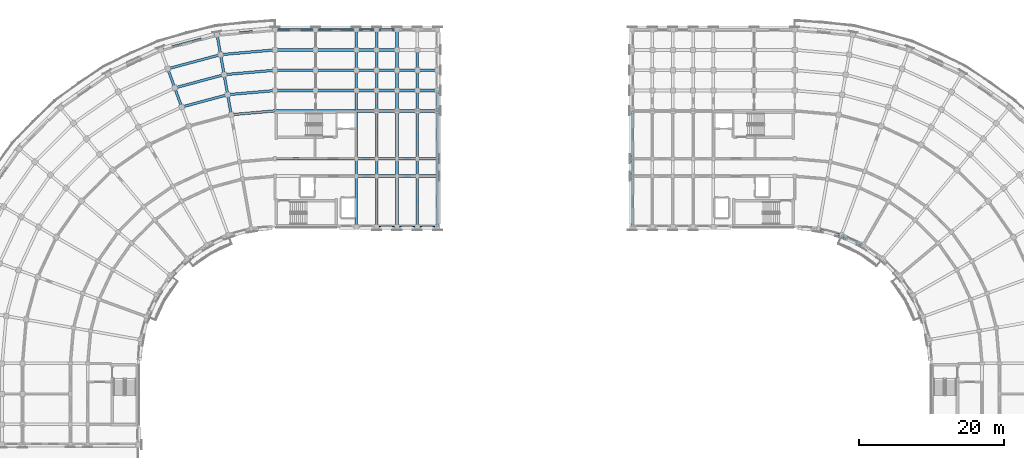
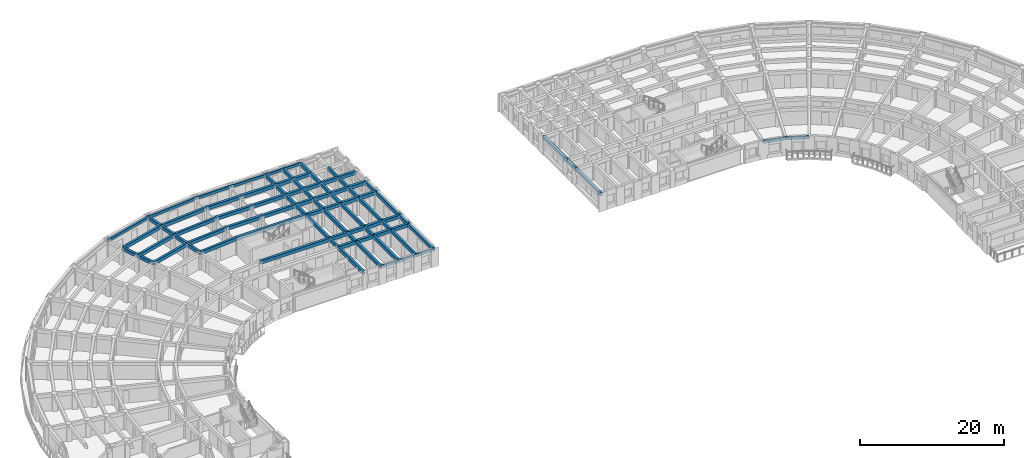
# One storey, part 9 of 54: 88 beams.
"""IFC4 building model written with IfcOpenShell, lengths in metres."""

from ifc_helpers import new_model, si_unit, direction, frame, origin, origin_2d, place, context, subcontext, project, spatial, rectangle, extrude, material, material_profile, profile_set, type_object, element, save


model = new_model("IFC4")

# Units and contexts
model_context = context("Model", 3, precision=1e-05, world=origin(), true_north=direction((0.0, 1.0)))
body_context = subcontext(model_context, "Body", "Model", "MODEL_VIEW")
ifc_project = project(units=[si_unit("LENGTHUNIT", "METRE"), si_unit("AREAUNIT", "SQUARE_METRE"), si_unit("VOLUMEUNIT", "CUBIC_METRE"), si_unit("PLANEANGLEUNIT", "RADIAN"), si_unit("MASSUNIT", "GRAM", prefix="KILO")], contexts=[model_context])

# Site, building, storey
site_placement = place(None, origin())
site = spatial("IfcSite", under=ifc_project, at=site_placement, CompositionType="ELEMENT")
building_placement = place(site_placement, origin())
building = spatial("IfcBuilding", under=site, at=building_placement, Name="Kiranvali Square Residences", CompositionType="ELEMENT")
storey_placement = place(building_placement, frame((0.0, 0.0, 27.60009765625)))
storey = spatial("IfcBuildingStorey", under=building, at=storey_placement, Name="L08", CompositionType="ELEMENT", Elevation=27.60009765625)

# Beams
ifc_material_1 = material(Name="Concrete M40 (40 MPa)", Category="concrete")
ifc_material_profile_1 = material_profile(ifc_material_1, rectangle(XDim=0.35009765625, YDim=0.550048828125, at=origin_2d()), Name="RC 350x550")
ifc_profile_set_1 = profile_set([ifc_material_profile_1], Name="Concrete M40 (40 MPa)")
beam_type_1 = type_object("IfcBeamType", Name="BM-M40-350x550", PredefinedType="BEAM", material=ifc_profile_set_1)
beam_1_placement = place(storey_placement, frame((48.199951171875, 122.60009765625, 2.65478515625), z_axis=(-0.996193018494, -0.087174938512, 0.0), x_axis=(0.087174938512, -0.996193018494, 0.0)))
element("IfcBeam", 1, at=beam_1_placement, inside=storey, type_object=beam_type_1, Name="L08 beam BM-A-L08-C00-R3", PredefinedType="BEAM", context=body_context, shape_type="SweptSolid", body=[
    extrude(rectangle(XDim=0.35009765625, YDim=0.550048828125, at=origin_2d()), origin(), (0.0, 0.0, 1.0), 6.066162109375),
])
beam_2_placement = place(storey_placement, frame((48.199951171875, 125.39990234375, 2.65478515625), z_axis=(-0.996196991902, -0.0871295204, 0.0), x_axis=(0.0871295204, -0.996196991902, 0.0)))
element("IfcBeam", 2, at=beam_2_placement, inside=storey, type_object=beam_type_1, Name="L08 beam BM-A-L08-C00-R4", PredefinedType="BEAM", context=body_context, shape_type="SweptSolid", body=[
    extrude(rectangle(XDim=0.35009765625, YDim=0.550048828125, at=origin_2d()), origin(), (0.0, 0.0, 1.0), 6.553955078125),
])
beam_3_placement = place(storey_placement, frame((48.199951171875, 128.199951171875, 2.65478515625), z_axis=(-0.996194658198, -0.087156198737, 0.0), x_axis=(0.087156198737, -0.996194658198, 0.0)))
element("IfcBeam", 3, at=beam_3_placement, inside=storey, type_object=beam_type_1, Name="L08 beam BM-A-L08-C00-R5", PredefinedType="BEAM", context=body_context, shape_type="SweptSolid", body=[
    extrude(rectangle(XDim=0.35009765625, YDim=0.550048828125, at=origin_2d()), origin(), (0.0, 0.0, 1.0), 7.042236328125),
])
beam_4_placement = place(storey_placement, frame((48.199951171875, 131.0, 2.65478515625), z_axis=(-0.996195195417, -0.087150058103, 0.0), x_axis=(0.087150058103, -0.996195195417, 0.0)))
element("IfcBeam", 4, at=beam_4_placement, inside=storey, type_object=beam_type_1, Name="L08 beam BM-A-L08-C00-R6", PredefinedType="BEAM", context=body_context, shape_type="SweptSolid", body=[
    extrude(rectangle(XDim=0.35009765625, YDim=0.550048828125, at=origin_2d()), origin(), (0.0, 0.0, 1.0), 7.530029296875),
])
beam_5_placement = place(storey_placement, frame((41.6708984375, 124.828857421875, 2.65478515625), z_axis=(-0.965918287583, -0.258847178297, 0.0), x_axis=(0.258847178297, -0.965918287583, 0.0)))
element("IfcBeam", 5, at=beam_5_placement, inside=storey, type_object=beam_type_1, Name="L08 beam BM-A-L08-C01-R4", PredefinedType="BEAM", context=body_context, shape_type="SweptSolid", body=[
    extrude(rectangle(XDim=0.35009765625, YDim=0.550048828125, at=origin_2d()), origin(), (0.0, 0.0, 1.0), 6.55419921875),
])
beam_6_placement = place(storey_placement, frame((41.1845703125, 127.586181640625, 2.65478515625), z_axis=(-0.965931029817, -0.258799624492, 0.0), x_axis=(0.258799624492, -0.965931029817, 0.0)))
element("IfcBeam", 6, at=beam_6_placement, inside=storey, type_object=beam_type_1, Name="L08 beam BM-A-L08-C01-R5", PredefinedType="BEAM", context=body_context, shape_type="SweptSolid", body=[
    extrude(rectangle(XDim=0.35009765625, YDim=0.550048828125, at=origin_2d()), origin(), (0.0, 0.0, 1.0), 7.042236328125),
])
beam_7_placement = place(storey_placement, frame((40.698486328125, 130.34375, 2.65478515625), z_axis=(-0.965925909693, -0.258818733833, 0.0), x_axis=(0.258818733833, -0.965925909693, 0.0)))
element("IfcBeam", 7, at=beam_7_placement, inside=storey, type_object=beam_type_1, Name="L08 beam BM-A-L08-C01-R6", PredefinedType="BEAM", context=body_context, shape_type="SweptSolid", body=[
    extrude(rectangle(XDim=0.35009765625, YDim=0.550048828125, at=origin_2d()), origin(), (0.0, 0.0, 1.0), 7.5302734375),
])
beam_8_placement = place(storey_placement, frame((42.156982421875, 122.0712890625, 2.65478515625), z_axis=(-0.173596320392, 0.984816895441, 0.0), x_axis=(-0.984816895441, -0.173596320392, 0.0)))
element("IfcBeam", 8, at=beam_8_placement, inside=storey, type_object=beam_type_1, Name="L08 beam BM-A-L08-RAD01-34", PredefinedType="BEAM", context=body_context, shape_type="SweptSolid", body=[
    extrude(rectangle(XDim=0.35009765625, YDim=0.550048828125, at=origin_2d()), origin(), (0.0, 0.0, 1.0), 2.800048828125),
])
beam_9_placement = place(storey_placement, frame((41.6708984375, 124.828857421875, 2.65478515625), z_axis=(-0.173695795656, 0.984799355489, 0.0), x_axis=(-0.984799355489, -0.173695795656, 0.0)))
element("IfcBeam", 9, at=beam_9_placement, inside=storey, type_object=beam_type_1, Name="L08 beam BM-A-L08-RAD01-45", PredefinedType="BEAM", context=body_context, shape_type="SweptSolid", body=[
    extrude(rectangle(XDim=0.35009765625, YDim=0.550048828125, at=origin_2d()), origin(), (0.0, 0.0, 1.0), 2.7998046875),
])
beam_10_placement = place(storey_placement, frame((41.1845703125, 127.586181640625, 2.65478515625), z_axis=(-0.173596320392, 0.984816895441, 0.0), x_axis=(-0.984816895441, -0.173596320392, 0.0)))
element("IfcBeam", 10, at=beam_10_placement, inside=storey, type_object=beam_type_1, Name="L08 beam BM-A-L08-RAD01-56", PredefinedType="BEAM", context=body_context, shape_type="SweptSolid", body=[
    extrude(rectangle(XDim=0.35009765625, YDim=0.550048828125, at=origin_2d()), origin(), (0.0, 0.0, 1.0), 2.800048828125),
])
beam_11_placement = place(storey_placement, frame((40.698486328125, 130.34375, 2.65478515625), z_axis=(-0.173695795656, 0.984799355489, 0.0), x_axis=(-0.984799355489, -0.173695795656, 0.0)))
element("IfcBeam", 11, at=beam_11_placement, inside=storey, type_object=beam_type_1, Name="L08 beam BM-A-L08-RAD01-67", PredefinedType="BEAM", context=body_context, shape_type="SweptSolid", body=[
    extrude(rectangle(XDim=0.35009765625, YDim=0.550048828125, at=origin_2d()), origin(), (0.0, 0.0, 1.0), 2.7998046875),
])
beam_12_placement = place(storey_placement, frame((35.340087890625, 123.13232421875, 2.65478515625), z_axis=(-0.342030060398, 0.939689011208, 0.0), x_axis=(-0.939689011208, -0.342030060398, 0.0)))
element("IfcBeam", 12, at=beam_12_placement, inside=storey, type_object=beam_type_1, Name="L08 beam BM-A-L08-RAD02-45", PredefinedType="BEAM", context=body_context, shape_type="SweptSolid", body=[
    extrude(rectangle(XDim=0.35009765625, YDim=0.550048828125, at=origin_2d()), origin(), (0.0, 0.0, 1.0), 2.80029296875),
])
beam_13_placement = place(storey_placement, frame((34.38232421875, 125.763671875, 2.65478515625), z_axis=(-0.341981089711, 0.93970683422, 0.0), x_axis=(-0.93970683422, -0.341981089711, 0.0)))
element("IfcBeam", 13, at=beam_13_placement, inside=storey, type_object=beam_type_1, Name="L08 beam BM-A-L08-RAD02-56", PredefinedType="BEAM", context=body_context, shape_type="SweptSolid", body=[
    extrude(rectangle(XDim=0.35009765625, YDim=0.550048828125, at=origin_2d()), origin(), (0.0, 0.0, 1.0), 2.7998046875),
])
beam_14_placement = place(storey_placement, frame((59.39990234375, 106.60009765625, 2.65478515625), z_axis=(0.0, 1.0, 0.0), x_axis=(-1.0, 0.0, 0.0)))
element("IfcBeam", 14, at=beam_14_placement, inside=storey, type_object=beam_type_1, Name="L08 beam BM-A-L08-A1T1-01", PredefinedType="BEAM", context=body_context, shape_type="SweptSolid", body=[
    extrude(rectangle(XDim=0.35009765625, YDim=0.550048828125, at=origin_2d()), origin(), (0.0, 0.0, 1.0), 7.0),
])
beam_15_placement = place(storey_placement, frame((59.39990234375, 113.60009765625, 2.65478515625), z_axis=(0.0, 1.0, 0.0), x_axis=(-1.0, 0.0, 0.0)))
element("IfcBeam", 15, at=beam_15_placement, inside=storey, type_object=beam_type_1, Name="L08 beam BM-A-L08-A1T1-12", PredefinedType="BEAM", context=body_context, shape_type="SweptSolid", body=[
    extrude(rectangle(XDim=0.35009765625, YDim=0.550048828125, at=origin_2d()), origin(), (0.0, 0.0, 1.0), 2.39990234375),
])
beam_16_placement = place(storey_placement, frame((59.39990234375, 116.0, 2.65478515625), z_axis=(0.0, 1.0, 0.0), x_axis=(-1.0, 0.0, 0.0)))
element("IfcBeam", 16, at=beam_16_placement, inside=storey, type_object=beam_type_1, Name="L08 beam BM-A-L08-A1T1-23", PredefinedType="BEAM", context=body_context, shape_type="SweptSolid", body=[
    extrude(rectangle(XDim=0.35009765625, YDim=0.550048828125, at=origin_2d()), origin(), (0.0, 0.0, 1.0), 6.60009765625),
])
beam_17_placement = place(storey_placement, frame((59.39990234375, 122.60009765625, 2.65478515625), z_axis=(0.0, 1.0, 0.0), x_axis=(-1.0, 0.0, 0.0)))
element("IfcBeam", 17, at=beam_17_placement, inside=storey, type_object=beam_type_1, Name="L08 beam BM-A-L08-A1T1-34", PredefinedType="BEAM", context=body_context, shape_type="SweptSolid", body=[
    extrude(rectangle(XDim=0.35009765625, YDim=0.550048828125, at=origin_2d()), origin(), (0.0, 0.0, 1.0), 2.7998046875),
])
for number, where, z_axis, x_axis, name in (
    (18, (59.39990234375, 125.39990234375, 2.65478515625), (0.0, 1.0, 0.0), (-1.0, 0.0, 0.0), "L08 beam BM-A-L08-A1T1-45"),
    (19, (59.39990234375, 128.199951171875, 2.65478515625), (0.0, 1.0, 0.0), (-1.0, 0.0, 0.0), "L08 beam BM-A-L08-A1T1-56"),
    (20, (59.39990234375, 131.0, 2.65478515625), (0.0, 1.0, 0.0), (-1.0, 0.0, 0.0), "L08 beam BM-A-L08-A1T1-67"),
):
    element("IfcBeam", number, at=place(storey_placement, frame(where, z_axis=z_axis, x_axis=x_axis)), inside=storey, type_object=beam_type_1, Name=name, PredefinedType="BEAM", context=body_context, shape_type="SweptSolid", body=[
        extrude(rectangle(XDim=0.35009765625, YDim=0.550048828125, at=origin_2d()), origin(), (0.0, 0.0, 1.0), 2.800048828125),
    ])
beam_18_placement = place(storey_placement, frame((62.199951171875, 106.60009765625, 2.65478515625), z_axis=(0.0, 1.0, 0.0), x_axis=(-1.0, 0.0, 0.0)))
element("IfcBeam", 21, at=beam_18_placement, inside=storey, type_object=beam_type_1, Name="L08 beam BM-A-L08-A1T2-01", PredefinedType="BEAM", context=body_context, shape_type="SweptSolid", body=[
    extrude(rectangle(XDim=0.35009765625, YDim=0.550048828125, at=origin_2d()), origin(), (0.0, 0.0, 1.0), 7.0),
])
beam_19_placement = place(storey_placement, frame((62.199951171875, 113.60009765625, 2.65478515625), z_axis=(0.0, 1.0, 0.0), x_axis=(-1.0, 0.0, 0.0)))
element("IfcBeam", 22, at=beam_19_placement, inside=storey, type_object=beam_type_1, Name="L08 beam BM-A-L08-A1T2-12", PredefinedType="BEAM", context=body_context, shape_type="SweptSolid", body=[
    extrude(rectangle(XDim=0.35009765625, YDim=0.550048828125, at=origin_2d()), origin(), (0.0, 0.0, 1.0), 2.39990234375),
])
beam_20_placement = place(storey_placement, frame((62.199951171875, 116.0, 2.65478515625), z_axis=(0.0, 1.0, 0.0), x_axis=(-1.0, 0.0, 0.0)))
element("IfcBeam", 23, at=beam_20_placement, inside=storey, type_object=beam_type_1, Name="L08 beam BM-A-L08-A1T2-23", PredefinedType="BEAM", context=body_context, shape_type="SweptSolid", body=[
    extrude(rectangle(XDim=0.35009765625, YDim=0.550048828125, at=origin_2d()), origin(), (0.0, 0.0, 1.0), 6.60009765625),
])
beam_21_placement = place(storey_placement, frame((62.199951171875, 122.60009765625, 2.65478515625), z_axis=(0.0, 1.0, 0.0), x_axis=(-1.0, 0.0, 0.0)))
element("IfcBeam", 24, at=beam_21_placement, inside=storey, type_object=beam_type_1, Name="L08 beam BM-A-L08-A1T2-34", PredefinedType="BEAM", context=body_context, shape_type="SweptSolid", body=[
    extrude(rectangle(XDim=0.35009765625, YDim=0.550048828125, at=origin_2d()), origin(), (0.0, 0.0, 1.0), 2.7998046875),
])
for number, where, z_axis, x_axis, name in (
    (25, (62.199951171875, 125.39990234375, 2.65478515625), (0.0, 1.0, 0.0), (-1.0, 0.0, 0.0), "L08 beam BM-A-L08-A1T2-45"),
    (26, (62.199951171875, 128.199951171875, 2.65478515625), (0.0, 1.0, 0.0), (-1.0, 0.0, 0.0), "L08 beam BM-A-L08-A1T2-56"),
    (27, (62.199951171875, 131.0, 2.65478515625), (0.0, 1.0, 0.0), (-1.0, 0.0, 0.0), "L08 beam BM-A-L08-A1T2-67"),
):
    element("IfcBeam", number, at=place(storey_placement, frame(where, z_axis=z_axis, x_axis=x_axis)), inside=storey, type_object=beam_type_1, Name=name, PredefinedType="BEAM", context=body_context, shape_type="SweptSolid", body=[
        extrude(rectangle(XDim=0.35009765625, YDim=0.550048828125, at=origin_2d()), origin(), (0.0, 0.0, 1.0), 2.800048828125),
    ])
beam_22_placement = place(storey_placement, frame((65.0, 106.60009765625, 2.65478515625), z_axis=(0.0, 1.0, 0.0), x_axis=(-1.0, 0.0, 0.0)))
element("IfcBeam", 28, at=beam_22_placement, inside=storey, type_object=beam_type_1, Name="L08 beam BM-A-L08-A1T3-01", PredefinedType="BEAM", context=body_context, shape_type="SweptSolid", body=[
    extrude(rectangle(XDim=0.35009765625, YDim=0.550048828125, at=origin_2d()), origin(), (0.0, 0.0, 1.0), 7.0),
])
beam_23_placement = place(storey_placement, frame((65.0, 113.60009765625, 2.65478515625), z_axis=(0.0, 1.0, 0.0), x_axis=(-1.0, 0.0, 0.0)))
element("IfcBeam", 29, at=beam_23_placement, inside=storey, type_object=beam_type_1, Name="L08 beam BM-A-L08-A1T3-12", PredefinedType="BEAM", context=body_context, shape_type="SweptSolid", body=[
    extrude(rectangle(XDim=0.35009765625, YDim=0.550048828125, at=origin_2d()), origin(), (0.0, 0.0, 1.0), 2.39990234375),
])
beam_24_placement = place(storey_placement, frame((65.0, 116.0, 2.65478515625), z_axis=(0.0, 1.0, 0.0), x_axis=(-1.0, 0.0, 0.0)))
element("IfcBeam", 30, at=beam_24_placement, inside=storey, type_object=beam_type_1, Name="L08 beam BM-A-L08-A1T3-23", PredefinedType="BEAM", context=body_context, shape_type="SweptSolid", body=[
    extrude(rectangle(XDim=0.35009765625, YDim=0.550048828125, at=origin_2d()), origin(), (0.0, 0.0, 1.0), 6.60009765625),
])
beam_25_placement = place(storey_placement, frame((65.0, 122.60009765625, 2.65478515625), z_axis=(0.0, 1.0, 0.0), x_axis=(-1.0, 0.0, 0.0)))
element("IfcBeam", 31, at=beam_25_placement, inside=storey, type_object=beam_type_1, Name="L08 beam BM-A-L08-A1T3-34", PredefinedType="BEAM", context=body_context, shape_type="SweptSolid", body=[
    extrude(rectangle(XDim=0.35009765625, YDim=0.550048828125, at=origin_2d()), origin(), (0.0, 0.0, 1.0), 2.7998046875),
])
for number, where, z_axis, x_axis, name in (
    (32, (65.0, 125.39990234375, 2.65478515625), (0.0, 1.0, 0.0), (-1.0, 0.0, 0.0), "L08 beam BM-A-L08-A1T3-45"),
    (33, (65.0, 128.199951171875, 2.65478515625), (0.0, 1.0, 0.0), (-1.0, 0.0, 0.0), "L08 beam BM-A-L08-A1T3-56"),
    (34, (65.0, 131.0, 2.65478515625), (0.0, 1.0, 0.0), (-1.0, 0.0, 0.0), "L08 beam BM-A-L08-A1T3-67"),
):
    element("IfcBeam", number, at=place(storey_placement, frame(where, z_axis=z_axis, x_axis=x_axis)), inside=storey, type_object=beam_type_1, Name=name, PredefinedType="BEAM", context=body_context, shape_type="SweptSolid", body=[
        extrude(rectangle(XDim=0.35009765625, YDim=0.550048828125, at=origin_2d()), origin(), (0.0, 0.0, 1.0), 2.800048828125),
    ])
beam_26_placement = place(storey_placement, frame((67.800048828125, 106.60009765625, 2.65478515625), z_axis=(0.0, 1.0, 0.0), x_axis=(-1.0, 0.0, 0.0)))
element("IfcBeam", 35, at=beam_26_placement, inside=storey, type_object=beam_type_1, Name="L08 beam BM-A-L08-A1T4-01", PredefinedType="BEAM", context=body_context, shape_type="SweptSolid", body=[
    extrude(rectangle(XDim=0.35009765625, YDim=0.550048828125, at=origin_2d()), origin(), (0.0, 0.0, 1.0), 7.0),
])
beam_27_placement = place(storey_placement, frame((67.800048828125, 113.60009765625, 2.65478515625), z_axis=(0.0, 1.0, 0.0), x_axis=(-1.0, 0.0, 0.0)))
element("IfcBeam", 36, at=beam_27_placement, inside=storey, type_object=beam_type_1, Name="L08 beam BM-A-L08-A1T4-12", PredefinedType="BEAM", context=body_context, shape_type="SweptSolid", body=[
    extrude(rectangle(XDim=0.35009765625, YDim=0.550048828125, at=origin_2d()), origin(), (0.0, 0.0, 1.0), 2.39990234375),
])
beam_28_placement = place(storey_placement, frame((67.800048828125, 116.0, 2.65478515625), z_axis=(0.0, 1.0, 0.0), x_axis=(-1.0, 0.0, 0.0)))
element("IfcBeam", 37, at=beam_28_placement, inside=storey, type_object=beam_type_1, Name="L08 beam BM-A-L08-A1T4-23", PredefinedType="BEAM", context=body_context, shape_type="SweptSolid", body=[
    extrude(rectangle(XDim=0.35009765625, YDim=0.550048828125, at=origin_2d()), origin(), (0.0, 0.0, 1.0), 6.60009765625),
])
beam_29_placement = place(storey_placement, frame((67.800048828125, 122.60009765625, 2.65478515625), z_axis=(0.0, 1.0, 0.0), x_axis=(-1.0, 0.0, 0.0)))
element("IfcBeam", 38, at=beam_29_placement, inside=storey, type_object=beam_type_1, Name="L08 beam BM-A-L08-A1T4-34", PredefinedType="BEAM", context=body_context, shape_type="SweptSolid", body=[
    extrude(rectangle(XDim=0.35009765625, YDim=0.550048828125, at=origin_2d()), origin(), (0.0, 0.0, 1.0), 2.7998046875),
])
for number, where, z_axis, x_axis, name in (
    (39, (67.800048828125, 125.39990234375, 2.65478515625), (0.0, 1.0, 0.0), (-1.0, 0.0, 0.0), "L08 beam BM-A-L08-A1T4-45"),
    (40, (67.800048828125, 128.199951171875, 2.65478515625), (0.0, 1.0, 0.0), (-1.0, 0.0, 0.0), "L08 beam BM-A-L08-A1T4-56"),
):
    element("IfcBeam", number, at=place(storey_placement, frame(where, z_axis=z_axis, x_axis=x_axis)), inside=storey, type_object=beam_type_1, Name=name, PredefinedType="BEAM", context=body_context, shape_type="SweptSolid", body=[
        extrude(rectangle(XDim=0.35009765625, YDim=0.550048828125, at=origin_2d()), origin(), (0.0, 0.0, 1.0), 2.800048828125),
    ])
beam_30_placement = place(storey_placement, frame((70.60009765625, 106.60009765625, 2.65478515625), z_axis=(0.0, 1.0, 0.0), x_axis=(-1.0, 0.0, 0.0)))
element("IfcBeam", 41, at=beam_30_placement, inside=storey, type_object=beam_type_1, Name="L08 beam BM-A-L08-A1T5-01", PredefinedType="BEAM", context=body_context, shape_type="SweptSolid", body=[
    extrude(rectangle(XDim=0.35009765625, YDim=0.550048828125, at=origin_2d()), origin(), (0.0, 0.0, 1.0), 7.0),
])
beam_31_placement = place(storey_placement, frame((70.60009765625, 113.60009765625, 2.65478515625), z_axis=(0.0, 1.0, 0.0), x_axis=(-1.0, 0.0, 0.0)))
element("IfcBeam", 42, at=beam_31_placement, inside=storey, type_object=beam_type_1, Name="L08 beam BM-A-L08-A1T5-12", PredefinedType="BEAM", context=body_context, shape_type="SweptSolid", body=[
    extrude(rectangle(XDim=0.35009765625, YDim=0.550048828125, at=origin_2d()), origin(), (0.0, 0.0, 1.0), 2.39990234375),
])
beam_32_placement = place(storey_placement, frame((70.60009765625, 116.0, 2.65478515625), z_axis=(0.0, 1.0, 0.0), x_axis=(-1.0, 0.0, 0.0)))
element("IfcBeam", 43, at=beam_32_placement, inside=storey, type_object=beam_type_1, Name="L08 beam BM-A-L08-A1T5-23", PredefinedType="BEAM", context=body_context, shape_type="SweptSolid", body=[
    extrude(rectangle(XDim=0.35009765625, YDim=0.550048828125, at=origin_2d()), origin(), (0.0, 0.0, 1.0), 6.60009765625),
])
beam_33_placement = place(storey_placement, frame((70.60009765625, 122.60009765625, 2.65478515625), z_axis=(0.0, 1.0, 0.0), x_axis=(-1.0, 0.0, 0.0)))
element("IfcBeam", 44, at=beam_33_placement, inside=storey, type_object=beam_type_1, Name="L08 beam BM-A-L08-A1T5-34", PredefinedType="BEAM", context=body_context, shape_type="SweptSolid", body=[
    extrude(rectangle(XDim=0.35009765625, YDim=0.550048828125, at=origin_2d()), origin(), (0.0, 0.0, 1.0), 2.7998046875),
])
beam_34_placement = place(storey_placement, frame((97.39990234375, 106.60009765625, 2.65478515625), z_axis=(0.0, 1.0, 0.0), x_axis=(-1.0, 0.0, 0.0)))
element("IfcBeam", 45, at=beam_34_placement, inside=storey, type_object=beam_type_1, Name="L08 beam BM-B-L08-A1T5-01", PredefinedType="BEAM", context=body_context, shape_type="SweptSolid", body=[
    extrude(rectangle(XDim=0.35009765625, YDim=0.550048828125, at=origin_2d()), origin(), (0.0, 0.0, 1.0), 7.0),
])
beam_35_placement = place(storey_placement, frame((97.39990234375, 113.60009765625, 2.65478515625), z_axis=(0.0, 1.0, 0.0), x_axis=(-1.0, 0.0, 0.0)))
element("IfcBeam", 46, at=beam_35_placement, inside=storey, type_object=beam_type_1, Name="L08 beam BM-B-L08-A1T5-12", PredefinedType="BEAM", context=body_context, shape_type="SweptSolid", body=[
    extrude(rectangle(XDim=0.35009765625, YDim=0.550048828125, at=origin_2d()), origin(), (0.0, 0.0, 1.0), 2.39990234375),
])
beam_36_placement = place(storey_placement, frame((97.39990234375, 116.0, 2.65478515625), z_axis=(0.0, 1.0, 0.0), x_axis=(-1.0, 0.0, 0.0)))
element("IfcBeam", 47, at=beam_36_placement, inside=storey, type_object=beam_type_1, Name="L08 beam BM-B-L08-A1T5-23", PredefinedType="BEAM", context=body_context, shape_type="SweptSolid", body=[
    extrude(rectangle(XDim=0.35009765625, YDim=0.550048828125, at=origin_2d()), origin(), (0.0, 0.0, 1.0), 6.60009765625),
])
ifc_material_2 = material(Name="Concrete M45 (45 MPa)", Category="concrete")
ifc_material_profile_2 = material_profile(ifc_material_2, rectangle(XDim=0.39990234375, YDim=0.550048828125, at=origin_2d()), Name="RC 400x550")
ifc_profile_set_2 = profile_set([ifc_material_profile_2], Name="Concrete M45 (45 MPa)")
beam_type_2 = type_object("IfcBeamType", Name="BM-M45-400x550", PredefinedType="BEAM", material=ifc_profile_set_2)
for number, where, z_axis, x_axis, name in (
    (48, (59.39990234375, 113.60009765625, 2.65478515625), (1.0, 0.0, 0.0), (0.0, 1.0, 0.0), "L08 beam BM-A-L08-A1U1-R1"),
    (49, (62.199951171875, 113.60009765625, 2.65478515625), (1.0, 0.0, 0.0), (0.0, 1.0, 0.0), "L08 beam BM-A-L08-A1U2-R1"),
    (50, (65.0, 113.60009765625, 2.65478515625), (1.0, 0.0, 0.0), (0.0, 1.0, 0.0), "L08 beam BM-A-L08-A1U3-R1"),
    (51, (67.800048828125, 113.60009765625, 2.65478515625), (1.0, 0.0, 0.0), (0.0, 1.0, 0.0), "L08 beam BM-A-L08-A1U4-R1"),
):
    element("IfcBeam", number, at=place(storey_placement, frame(where, z_axis=z_axis, x_axis=x_axis)), inside=storey, type_object=beam_type_2, Name=name, PredefinedType="BEAM", context=body_context, shape_type="SweptSolid", body=[
        extrude(rectangle(XDim=0.39990234375, YDim=0.550048828125, at=origin_2d()), origin(), (0.0, 0.0, 1.0), 2.800048828125),
    ])
beam_37_placement = place(storey_placement, frame((48.199951171875, 116.0, 2.65478515625), z_axis=(1.0, 0.0, 0.0), x_axis=(0.0, 1.0, 0.0)))
element("IfcBeam", 52, at=beam_37_placement, inside=storey, type_object=beam_type_2, Name="L08 beam BM-A-L08-A1U0-R2", PredefinedType="BEAM", context=body_context, shape_type="SweptSolid", body=[
    extrude(rectangle(XDim=0.39990234375, YDim=0.550048828125, at=origin_2d()), origin(), (0.0, 0.0, 1.0), 11.199951171875),
])
for number, where, z_axis, x_axis, name in (
    (53, (59.39990234375, 116.0, 2.65478515625), (1.0, 0.0, 0.0), (0.0, 1.0, 0.0), "L08 beam BM-A-L08-A1U1-R2"),
    (54, (62.199951171875, 116.0, 2.65478515625), (1.0, 0.0, 0.0), (0.0, 1.0, 0.0), "L08 beam BM-A-L08-A1U2-R2"),
    (55, (65.0, 116.0, 2.65478515625), (1.0, 0.0, 0.0), (0.0, 1.0, 0.0), "L08 beam BM-A-L08-A1U3-R2"),
    (56, (67.800048828125, 116.0, 2.65478515625), (1.0, 0.0, 0.0), (0.0, 1.0, 0.0), "L08 beam BM-A-L08-A1U4-R2"),
):
    element("IfcBeam", number, at=place(storey_placement, frame(where, z_axis=z_axis, x_axis=x_axis)), inside=storey, type_object=beam_type_2, Name=name, PredefinedType="BEAM", context=body_context, shape_type="SweptSolid", body=[
        extrude(rectangle(XDim=0.39990234375, YDim=0.550048828125, at=origin_2d()), origin(), (0.0, 0.0, 1.0), 2.800048828125),
    ])
beam_38_placement = place(storey_placement, frame((48.199951171875, 122.60009765625, 2.65478515625), z_axis=(1.0, 0.0, 0.0), x_axis=(0.0, 1.0, 0.0)))
element("IfcBeam", 57, at=beam_38_placement, inside=storey, type_object=beam_type_2, Name="L08 beam BM-A-L08-A1U0-R3", PredefinedType="BEAM", context=body_context, shape_type="SweptSolid", body=[
    extrude(rectangle(XDim=0.39990234375, YDim=0.550048828125, at=origin_2d()), origin(), (0.0, 0.0, 1.0), 11.199951171875),
])
for number, where, z_axis, x_axis, name in (
    (58, (59.39990234375, 122.60009765625, 2.65478515625), (1.0, 0.0, 0.0), (0.0, 1.0, 0.0), "L08 beam BM-A-L08-A1U1-R3"),
    (59, (62.199951171875, 122.60009765625, 2.65478515625), (1.0, 0.0, 0.0), (0.0, 1.0, 0.0), "L08 beam BM-A-L08-A1U2-R3"),
    (60, (65.0, 122.60009765625, 2.65478515625), (1.0, 0.0, 0.0), (0.0, 1.0, 0.0), "L08 beam BM-A-L08-A1U3-R3"),
    (61, (67.800048828125, 122.60009765625, 2.65478515625), (1.0, 0.0, 0.0), (0.0, 1.0, 0.0), "L08 beam BM-A-L08-A1U4-R3"),
):
    element("IfcBeam", number, at=place(storey_placement, frame(where, z_axis=z_axis, x_axis=x_axis)), inside=storey, type_object=beam_type_2, Name=name, PredefinedType="BEAM", context=body_context, shape_type="SweptSolid", body=[
        extrude(rectangle(XDim=0.39990234375, YDim=0.550048828125, at=origin_2d()), origin(), (0.0, 0.0, 1.0), 2.800048828125),
    ])
beam_39_placement = place(storey_placement, frame((48.199951171875, 125.39990234375, 2.65478515625), z_axis=(1.0, 0.0, 0.0), x_axis=(0.0, 1.0, 0.0)))
element("IfcBeam", 62, at=beam_39_placement, inside=storey, type_object=beam_type_2, Name="L08 beam BM-A-L08-A1U0-R4", PredefinedType="BEAM", context=body_context, shape_type="SweptSolid", body=[
    extrude(rectangle(XDim=0.39990234375, YDim=0.550048828125, at=origin_2d()), origin(), (0.0, 0.0, 1.0), 5.60009765625),
])
beam_40_placement = place(storey_placement, frame((53.800048828125, 125.39990234375, 2.65478515625), z_axis=(1.0, 0.0, 0.0), x_axis=(0.0, 1.0, 0.0)))
element("IfcBeam", 63, at=beam_40_placement, inside=storey, type_object=beam_type_2, Name="L08 beam BM-A-L08-A1U1-R4", PredefinedType="BEAM", context=body_context, shape_type="SweptSolid", body=[
    extrude(rectangle(XDim=0.39990234375, YDim=0.550048828125, at=origin_2d()), origin(), (0.0, 0.0, 1.0), 5.599853515625),
])
for number, where, z_axis, x_axis, name in (
    (64, (59.39990234375, 125.39990234375, 2.65478515625), (1.0, 0.0, 0.0), (0.0, 1.0, 0.0), "L08 beam BM-A-L08-A1U2-R4"),
    (65, (62.199951171875, 125.39990234375, 2.65478515625), (1.0, 0.0, 0.0), (0.0, 1.0, 0.0), "L08 beam BM-A-L08-A1U3-R4"),
    (66, (65.0, 125.39990234375, 2.65478515625), (1.0, 0.0, 0.0), (0.0, 1.0, 0.0), "L08 beam BM-A-L08-A1U4-R4"),
    (67, (67.800048828125, 125.39990234375, 2.65478515625), (1.0, 0.0, 0.0), (0.0, 1.0, 0.0), "L08 beam BM-A-L08-A1U5-R4"),
):
    element("IfcBeam", number, at=place(storey_placement, frame(where, z_axis=z_axis, x_axis=x_axis)), inside=storey, type_object=beam_type_2, Name=name, PredefinedType="BEAM", context=body_context, shape_type="SweptSolid", body=[
        extrude(rectangle(XDim=0.39990234375, YDim=0.550048828125, at=origin_2d()), origin(), (0.0, 0.0, 1.0), 2.800048828125),
    ])
beam_41_placement = place(storey_placement, frame((48.199951171875, 128.199951171875, 2.65478515625), z_axis=(1.0, 0.0, 0.0), x_axis=(0.0, 1.0, 0.0)))
element("IfcBeam", 68, at=beam_41_placement, inside=storey, type_object=beam_type_2, Name="L08 beam BM-A-L08-A1U0-R5", PredefinedType="BEAM", context=body_context, shape_type="SweptSolid", body=[
    extrude(rectangle(XDim=0.39990234375, YDim=0.550048828125, at=origin_2d()), origin(), (0.0, 0.0, 1.0), 5.60009765625),
])
beam_42_placement = place(storey_placement, frame((53.800048828125, 128.199951171875, 2.65478515625), z_axis=(1.0, 0.0, 0.0), x_axis=(0.0, 1.0, 0.0)))
element("IfcBeam", 69, at=beam_42_placement, inside=storey, type_object=beam_type_2, Name="L08 beam BM-A-L08-A1U1-R5", PredefinedType="BEAM", context=body_context, shape_type="SweptSolid", body=[
    extrude(rectangle(XDim=0.39990234375, YDim=0.550048828125, at=origin_2d()), origin(), (0.0, 0.0, 1.0), 5.599853515625),
])
for number, where, z_axis, x_axis, name in (
    (70, (59.39990234375, 128.199951171875, 2.65478515625), (1.0, 0.0, 0.0), (0.0, 1.0, 0.0), "L08 beam BM-A-L08-A1U2-R5"),
    (71, (62.199951171875, 128.199951171875, 2.65478515625), (1.0, 0.0, 0.0), (0.0, 1.0, 0.0), "L08 beam BM-A-L08-A1U3-R5"),
    (72, (65.0, 128.199951171875, 2.65478515625), (1.0, 0.0, 0.0), (0.0, 1.0, 0.0), "L08 beam BM-A-L08-A1U4-R5"),
    (73, (67.800048828125, 128.199951171875, 2.65478515625), (1.0, 0.0, 0.0), (0.0, 1.0, 0.0), "L08 beam BM-A-L08-A1U5-R5"),
):
    element("IfcBeam", number, at=place(storey_placement, frame(where, z_axis=z_axis, x_axis=x_axis)), inside=storey, type_object=beam_type_2, Name=name, PredefinedType="BEAM", context=body_context, shape_type="SweptSolid", body=[
        extrude(rectangle(XDim=0.39990234375, YDim=0.550048828125, at=origin_2d()), origin(), (0.0, 0.0, 1.0), 2.800048828125),
    ])
beam_43_placement = place(storey_placement, frame((48.199951171875, 131.0, 2.65478515625), z_axis=(1.0, 0.0, 0.0), x_axis=(0.0, 1.0, 0.0)))
element("IfcBeam", 74, at=beam_43_placement, inside=storey, type_object=beam_type_2, Name="L08 beam BM-A-L08-A1U0-R6", PredefinedType="BEAM", context=body_context, shape_type="SweptSolid", body=[
    extrude(rectangle(XDim=0.39990234375, YDim=0.550048828125, at=origin_2d()), origin(), (0.0, 0.0, 1.0), 5.60009765625),
])
beam_44_placement = place(storey_placement, frame((53.800048828125, 131.0, 2.65478515625), z_axis=(1.0, 0.0, 0.0), x_axis=(0.0, 1.0, 0.0)))
element("IfcBeam", 75, at=beam_44_placement, inside=storey, type_object=beam_type_2, Name="L08 beam BM-A-L08-A1U1-R6", PredefinedType="BEAM", context=body_context, shape_type="SweptSolid", body=[
    extrude(rectangle(XDim=0.39990234375, YDim=0.550048828125, at=origin_2d()), origin(), (0.0, 0.0, 1.0), 5.599853515625),
])
for number, where, z_axis, x_axis, name in (
    (76, (59.39990234375, 131.0, 2.65478515625), (1.0, 0.0, 0.0), (0.0, 1.0, 0.0), "L08 beam BM-A-L08-A1U2-R6"),
    (77, (62.199951171875, 131.0, 2.65478515625), (1.0, 0.0, 0.0), (0.0, 1.0, 0.0), "L08 beam BM-A-L08-A1U3-R6"),
):
    element("IfcBeam", number, at=place(storey_placement, frame(where, z_axis=z_axis, x_axis=x_axis)), inside=storey, type_object=beam_type_2, Name=name, PredefinedType="BEAM", context=body_context, shape_type="SweptSolid", body=[
        extrude(rectangle(XDim=0.39990234375, YDim=0.550048828125, at=origin_2d()), origin(), (0.0, 0.0, 1.0), 2.800048828125),
    ])
ifc_material_profile_3 = material_profile(ifc_material_1, rectangle(XDim=0.25, YDim=0.449951171875, at=origin_2d()), Name="RC 250x450")
ifc_profile_set_3 = profile_set([ifc_material_profile_3], Name="Concrete M40 (40 MPa)")
beam_type_3 = type_object("IfcBeamType", Name="SPN-M40-250x450", PredefinedType="SPANDREL", material=ifc_profile_set_3)
for number, where, z_axis, x_axis, name in (
    (78, (62.199951171875, 106.60009765625, 2.704833984375), (1.0, 0.0, 0.0), (0.0, 1.0, 0.0), "L08 beam BM-A-L08-A1U2-R0"),
    (79, (65.0, 106.60009765625, 2.704833984375), (1.0, 0.0, 0.0), (0.0, 1.0, 0.0), "L08 beam BM-A-L08-A1U3-R0"),
    (80, (67.800048828125, 106.60009765625, 2.704833984375), (1.0, 0.0, 0.0), (0.0, 1.0, 0.0), "L08 beam BM-A-L08-A1U4-R0"),
):
    element("IfcBeam", number, at=place(storey_placement, frame(where, z_axis=z_axis, x_axis=x_axis)), inside=storey, type_object=beam_type_3, Name=name, PredefinedType="SPANDREL", context=body_context, shape_type="SweptSolid", body=[
        extrude(rectangle(XDim=0.25, YDim=0.449951171875, at=origin_2d()), origin(), (0.0, 0.0, 1.0), 2.800048828125),
    ])
beam_45_placement = place(storey_placement, frame((48.199951171875, 133.800048828125, 2.704833984375), z_axis=(1.0, 0.0, 0.0), x_axis=(0.0, 1.0, 0.0)))
element("IfcBeam", 81, at=beam_45_placement, inside=storey, type_object=beam_type_3, Name="L08 beam BM-A-L08-A1U0-R7", PredefinedType="SPANDREL", context=body_context, shape_type="SweptSolid", body=[
    extrude(rectangle(XDim=0.25, YDim=0.449951171875, at=origin_2d()), origin(), (0.0, 0.0, 1.0), 5.60009765625),
])
beam_46_placement = place(storey_placement, frame((53.800048828125, 133.800048828125, 2.704833984375), z_axis=(1.0, 0.0, 0.0), x_axis=(0.0, 1.0, 0.0)))
element("IfcBeam", 82, at=beam_46_placement, inside=storey, type_object=beam_type_3, Name="L08 beam BM-A-L08-A1U1-R7", PredefinedType="SPANDREL", context=body_context, shape_type="SweptSolid", body=[
    extrude(rectangle(XDim=0.25, YDim=0.449951171875, at=origin_2d()), origin(), (0.0, 0.0, 1.0), 5.599853515625),
])
for number, where, z_axis, x_axis, name in (
    (83, (59.39990234375, 133.800048828125, 2.704833984375), (1.0, 0.0, 0.0), (0.0, 1.0, 0.0), "L08 beam BM-A-L08-A1U2-R7"),
    (84, (62.199951171875, 133.800048828125, 2.704833984375), (1.0, 0.0, 0.0), (0.0, 1.0, 0.0), "L08 beam BM-A-L08-A1U3-R7"),
):
    element("IfcBeam", number, at=place(storey_placement, frame(where, z_axis=z_axis, x_axis=x_axis)), inside=storey, type_object=beam_type_3, Name=name, PredefinedType="SPANDREL", context=body_context, shape_type="SweptSolid", body=[
        extrude(rectangle(XDim=0.25, YDim=0.449951171875, at=origin_2d()), origin(), (0.0, 0.0, 1.0), 2.800048828125),
    ])
ifc_material_profile_4 = material_profile(ifc_material_1, rectangle(XDim=0.300048828125, YDim=0.449951171875, at=origin_2d()), Name="RC 300x450")
ifc_profile_set_4 = profile_set([ifc_material_profile_4], Name="Concrete M40 (40 MPa)")
beam_type_4 = type_object("IfcBeamType", Name="SPN-M40-300x450", PredefinedType="SPANDREL", material=ifc_profile_set_4)
for number, where, z_axis, x_axis, name in (
    (85, (48.199951171875, 133.800048828125, 2.704833984375), (-0.996193254792, -0.087172238171, 0.0), (0.087172238171, -0.996193254792, 0.0), "L08 beam BM-A-L08-C00-R7"),
    (86, (40.212158203125, 133.10107421875, 2.704833984375), (-0.96592902462, -0.258807108475, 0.0), (0.258807108475, -0.96592902462, 0.0), "L08 beam BM-A-L08-C01-R7"),
):
    element("IfcBeam", number, at=place(storey_placement, frame(where, z_axis=z_axis, x_axis=x_axis)), inside=storey, type_object=beam_type_4, Name=name, PredefinedType="SPANDREL", context=body_context, shape_type="SweptSolid", body=[
        extrude(rectangle(XDim=0.300048828125, YDim=0.449951171875, at=origin_2d()), origin(), (0.0, 0.0, 1.0), 8.018310546875),
    ])
beam_47_placement = place(storey_placement, frame((123.064697265625, 106.314453125, 2.704833984375), z_axis=(0.965925105099, -0.258821736607, 0.0), x_axis=(0.258821736607, 0.965925105099, 0.0)))
element("IfcBeam", 87, at=beam_47_placement, inside=storey, type_object=beam_type_4, Name="L08 beam BM-B-L08-C01-R0", PredefinedType="SPANDREL", context=body_context, shape_type="SweptSolid", body=[
    extrude(rectangle(XDim=0.300048828125, YDim=0.449951171875, at=origin_2d()), origin(), (0.0, 0.0, 1.0), 3.27685546875),
])
beam_48_placement = place(storey_placement, frame((126.22998046875, 105.46630859375, 2.704833984375), z_axis=(0.90629730464, -0.422640740585, 0.0), x_axis=(0.422640740585, 0.90629730464, 0.0)))
element("IfcBeam", 88, at=beam_48_placement, inside=storey, type_object=beam_type_4, Name="L08 beam BM-B-L08-C02-R0", PredefinedType="SPANDREL", context=body_context, shape_type="SweptSolid", body=[
    extrude(rectangle(XDim=0.300048828125, YDim=0.449951171875, at=origin_2d()), origin(), (0.0, 0.0, 1.0), 3.277099609375),
])

save(model, "model.ifc")
